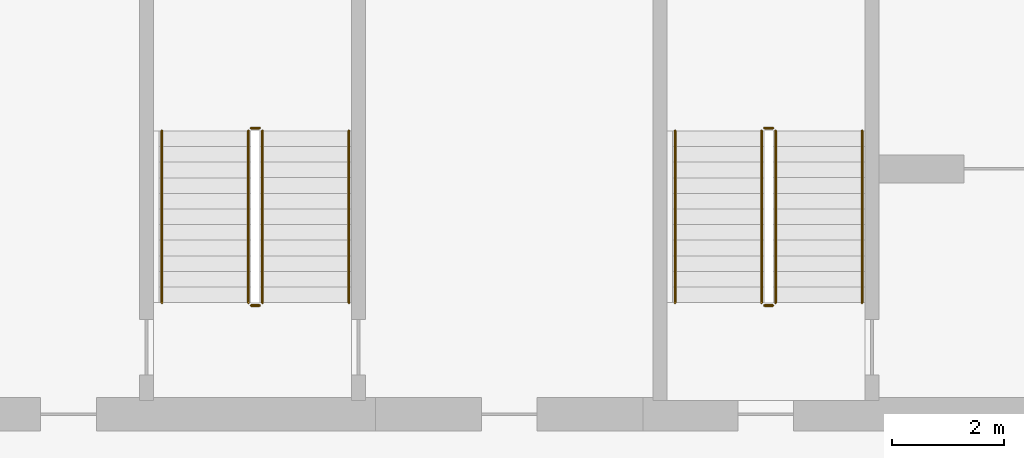
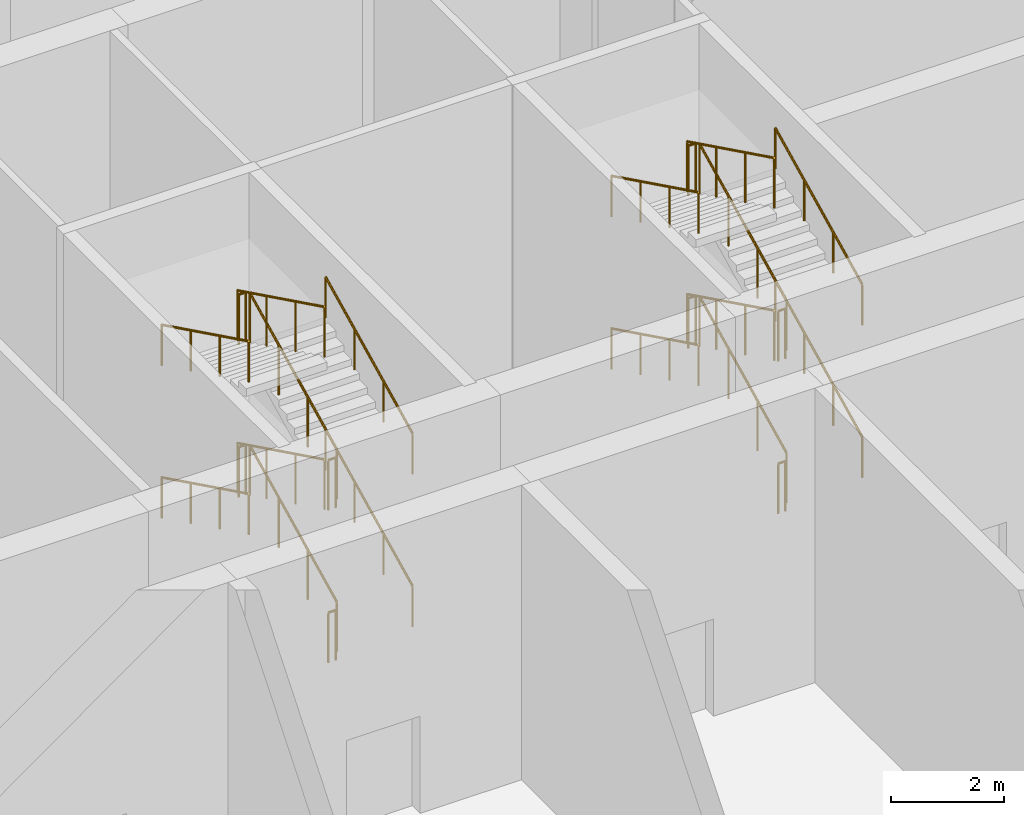
# One storey, part 14 of 16: 24 railings.
"""IFC4 building model written with IfcOpenShell, lengths in metres."""

from ifc_helpers import new_model, si_unit, direction, frame, origin, origin_2d, place, context, subcontext, project, spatial, circle, extrude, material, type_object, element, save


model = new_model("IFC4")

# Units and contexts
model_context = context("Model", 3, precision=1e-05, world=origin(), true_north=direction((0.0, 1.0)))
body_context = subcontext(model_context, "Body", "Model", "MODEL_VIEW")
ifc_project = project(units=[si_unit("LENGTHUNIT", "METRE"), si_unit("AREAUNIT", "SQUARE_METRE"), si_unit("VOLUMEUNIT", "CUBIC_METRE"), si_unit("PLANEANGLEUNIT", "RADIAN"), si_unit("MASSUNIT", "GRAM", prefix="KILO")], contexts=[model_context])

# Site, building, storey
site_placement = place(None, origin())
site = spatial("IfcSite", under=ifc_project, at=site_placement, CompositionType="ELEMENT")
building_placement = place(site_placement, origin())
building = spatial("IfcBuilding", under=site, at=building_placement, Name="Poui Terraces", CompositionType="ELEMENT")
storey_placement = place(building_placement, frame((0.0, 0.0, 115.800048828125)))
storey = spatial("IfcBuildingStorey", under=building, at=storey_placement, Name="L32", CompositionType="ELEMENT", Elevation=115.800048828125)

# Railings
ifc_material_1 = material(Name="Galvanised steel balustrade", Category="steel")
railing_type_1 = type_object("IfcRailingType", Name="STAIR GUARD 1100", PredefinedType="GUARDRAIL", material=ifc_material_1)
railing_1_placement = place(storey_placement, frame((32.074951171875, 16.60009765625, 0.137451171875)))
element("IfcRailing", 1, at=railing_1_placement, inside=storey, type_object=railing_type_1, Name="L32 ST-CW stair guard 1", PredefinedType="GUARDRAIL", context=body_context, shape_type="SweptSolid", body=[
    extrude(circle(Radius=0.02392578125, at=origin_2d()), frame((0.0, 0.0, 1.076171875), z_axis=(0.0, 0.897606190399, 0.440798283751), x_axis=(-1.0, 0.0, 0.0)), (0.0, 0.0, 1.0), 3.43115234375),
    extrude(circle(Radius=0.02099609375, at=origin_2d()), origin(), (0.0, 0.0, 1.0), 1.052001953125),
    extrude(circle(Radius=0.02099609375, at=origin_2d()), frame((0.0, 1.026611328125, 0.504150390625)), (0.0, 0.0, 1.0), 1.052001953125),
    extrude(circle(Radius=0.02099609375, at=origin_2d()), frame((0.0, 2.05322265625, 1.00830078125)), (0.0, 0.0, 1.0), 1.052001953125),
    extrude(circle(Radius=0.02099609375, at=origin_2d()), frame((0.0, 3.079833984375, 1.512451171875)), (0.0, 0.0, 1.0), 1.052001953125),
])
railing_2_placement = place(storey_placement, frame((32.02490234375, 19.72998046875, 1.64990234375)))
element("IfcRailing", 2, at=railing_2_placement, inside=storey, type_object=railing_type_1, Name="L32 ST-CW stair guard 2", PredefinedType="GUARDRAIL", context=body_context, shape_type="SweptSolid", body=[
    extrude(circle(Radius=0.02392578125, at=origin_2d()), frame((0.0, 0.0, 1.076171875), z_axis=(-1.0, 0.0, 0.0), x_axis=(0.0, -1.0, 0.0)), (0.0, 0.0, 1.0), 0.14990234375),
    extrude(circle(Radius=0.02099609375, at=origin_2d()), origin(), (0.0, 0.0, 1.0), 1.052001953125),
    extrude(circle(Radius=0.02099609375, at=origin_2d()), frame((-0.14990234375, 0.0, 0.0)), (0.0, 0.0, 1.0), 1.052001953125),
])
railing_3_placement = place(storey_placement, frame((31.824951171875, 19.679931640625, 1.787353515625)))
element("IfcRailing", 3, at=railing_3_placement, inside=storey, type_object=railing_type_1, Name="L32 ST-CW stair guard 3", PredefinedType="GUARDRAIL", context=body_context, shape_type="SweptSolid", body=[
    extrude(circle(Radius=0.02392578125, at=origin_2d()), frame((0.0, 0.0, 1.076171875), z_axis=(0.0, -0.897578036475, 0.440855609512), x_axis=(1.0, 0.0, 0.0)), (0.0, 0.0, 1.0), 3.43115234375),
    extrude(circle(Radius=0.02099609375, at=origin_2d()), origin(), (0.0, 0.0, 1.0), 1.052001953125),
    extrude(circle(Radius=0.02099609375, at=origin_2d()), frame((0.0, -1.026611328125, 0.504150390625)), (0.0, 0.0, 1.0), 1.052001953125),
    extrude(circle(Radius=0.02099609375, at=origin_2d()), frame((0.0, -2.05322265625, 1.008544921875)), (0.0, 0.0, 1.0), 1.052001953125),
    extrude(circle(Radius=0.02099609375, at=origin_2d()), frame((0.0, -3.079833984375, 1.5126953125)), (0.0, 0.0, 1.0), 1.052001953125),
])
railing_4_placement = place(storey_placement, frame((32.02490234375, 16.550048828125, 3.300048828125)))
element("IfcRailing", 4, at=railing_4_placement, inside=storey, type_object=railing_type_1, Name="L32 ST-CW stair guard 4", PredefinedType="GUARDRAIL", context=body_context, shape_type="SweptSolid", body=[
    extrude(circle(Radius=0.02392578125, at=origin_2d()), frame((0.0, 0.0, 1.076171875), z_axis=(-1.0, 0.0, 0.0), x_axis=(0.0, -1.0, 0.0)), (0.0, 0.0, 1.0), 0.14990234375),
    extrude(circle(Radius=0.02099609375, at=origin_2d()), origin(), (0.0, 0.0, 1.0), 1.052001953125),
    extrude(circle(Radius=0.02099609375, at=origin_2d()), frame((-0.14990234375, 0.0, 0.0)), (0.0, 0.0, 1.0), 1.052001953125),
])
railing_5_placement = place(storey_placement, frame((32.074951171875, 16.60009765625, 3.4375)))
element("IfcRailing", 5, at=railing_5_placement, inside=storey, type_object=railing_type_1, Name="L32 ST-CW stair guard 5", PredefinedType="GUARDRAIL", context=body_context, shape_type="SweptSolid", body=[
    extrude(circle(Radius=0.02392578125, at=origin_2d()), frame((0.0, 0.0, 1.076171875), z_axis=(0.0, 0.897606190399, 0.440798283751), x_axis=(-1.0, 0.0, 0.0)), (0.0, 0.0, 1.0), 3.43115234375),
    extrude(circle(Radius=0.02099609375, at=origin_2d()), origin(), (0.0, 0.0, 1.0), 1.052001953125),
    extrude(circle(Radius=0.02099609375, at=origin_2d()), frame((0.0, 1.026611328125, 0.504150390625)), (0.0, 0.0, 1.0), 1.052001953125),
    extrude(circle(Radius=0.02099609375, at=origin_2d()), frame((0.0, 2.05322265625, 1.00830078125)), (0.0, 0.0, 1.0), 1.052001953125),
    extrude(circle(Radius=0.02099609375, at=origin_2d()), frame((0.0, 3.079833984375, 1.512451171875)), (0.0, 0.0, 1.0), 1.052001953125),
])
railing_6_placement = place(storey_placement, frame((32.02490234375, 19.72998046875, 4.949951171875)))
element("IfcRailing", 6, at=railing_6_placement, inside=storey, type_object=railing_type_1, Name="L32 ST-CW stair guard 6", PredefinedType="GUARDRAIL", context=body_context, shape_type="SweptSolid", body=[
    extrude(circle(Radius=0.02392578125, at=origin_2d()), frame((0.0, 0.0, 1.076171875), z_axis=(-1.0, 0.0, 0.0), x_axis=(0.0, -1.0, 0.0)), (0.0, 0.0, 1.0), 0.14990234375),
    extrude(circle(Radius=0.02099609375, at=origin_2d()), origin(), (0.0, 0.0, 1.0), 1.052001953125),
    extrude(circle(Radius=0.02099609375, at=origin_2d()), frame((-0.14990234375, 0.0, 0.0)), (0.0, 0.0, 1.0), 1.052001953125),
])
railing_7_placement = place(storey_placement, frame((31.824951171875, 19.679931640625, 5.08740234375)))
element("IfcRailing", 7, at=railing_7_placement, inside=storey, type_object=railing_type_1, Name="L32 ST-CW stair guard 7", PredefinedType="GUARDRAIL", context=body_context, shape_type="SweptSolid", body=[
    extrude(circle(Radius=0.02392578125, at=origin_2d()), frame((0.0, 0.0, 1.076171875), z_axis=(0.0, -0.897606190399, 0.440798283751), x_axis=(1.0, 0.0, 0.0)), (0.0, 0.0, 1.0), 3.43115234375),
    extrude(circle(Radius=0.02099609375, at=origin_2d()), origin(), (0.0, 0.0, 1.0), 1.052001953125),
    extrude(circle(Radius=0.02099609375, at=origin_2d()), frame((0.0, -1.026611328125, 0.504150390625)), (0.0, 0.0, 1.0), 1.052001953125),
    extrude(circle(Radius=0.02099609375, at=origin_2d()), frame((0.0, -2.05322265625, 1.00830078125)), (0.0, 0.0, 1.0), 1.052001953125),
    extrude(circle(Radius=0.02099609375, at=origin_2d()), frame((0.0, -3.079833984375, 1.512451171875)), (0.0, 0.0, 1.0), 1.052001953125),
])
railing_8_placement = place(storey_placement, frame((32.02490234375, 16.550048828125, 0.0)))
element("IfcRailing", 8, at=railing_8_placement, inside=storey, type_object=railing_type_1, Name="L32 ST-CW stair guard 8", PredefinedType="GUARDRAIL", context=body_context, shape_type="SweptSolid", body=[
    extrude(circle(Radius=0.02392578125, at=origin_2d()), frame((0.0, 0.0, 1.076171875), z_axis=(-1.0, 0.0, 0.0), x_axis=(0.0, -1.0, 0.0)), (0.0, 0.0, 1.0), 0.14990234375),
    extrude(circle(Radius=0.02099609375, at=origin_2d()), origin(), (0.0, 0.0, 1.0), 1.052001953125),
    extrude(circle(Radius=0.02099609375, at=origin_2d()), frame((-0.14990234375, 0.0, 0.0)), (0.0, 0.0, 1.0), 1.052001953125),
])
railing_9_placement = place(storey_placement, frame((22.875, 16.60009765625, 0.137451171875)))
element("IfcRailing", 9, at=railing_9_placement, inside=storey, type_object=railing_type_1, Name="L32 ST-W stair guard 1", PredefinedType="GUARDRAIL", context=body_context, shape_type="SweptSolid", body=[
    extrude(circle(Radius=0.02392578125, at=origin_2d()), frame((0.0, 0.0, 1.076171875), z_axis=(0.0, 0.897606190399, 0.440798283751), x_axis=(-1.0, 0.0, 0.0)), (0.0, 0.0, 1.0), 3.43115234375),
    extrude(circle(Radius=0.02099609375, at=origin_2d()), origin(), (0.0, 0.0, 1.0), 1.052001953125),
    extrude(circle(Radius=0.02099609375, at=origin_2d()), frame((0.0, 1.026611328125, 0.504150390625)), (0.0, 0.0, 1.0), 1.052001953125),
    extrude(circle(Radius=0.02099609375, at=origin_2d()), frame((0.0, 2.05322265625, 1.00830078125)), (0.0, 0.0, 1.0), 1.052001953125),
    extrude(circle(Radius=0.02099609375, at=origin_2d()), frame((0.0, 3.079833984375, 1.512451171875)), (0.0, 0.0, 1.0), 1.052001953125),
])
railing_10_placement = place(storey_placement, frame((22.824951171875, 19.72998046875, 1.64990234375)))
element("IfcRailing", 10, at=railing_10_placement, inside=storey, type_object=railing_type_1, Name="L32 ST-W stair guard 2", PredefinedType="GUARDRAIL", context=body_context, shape_type="SweptSolid", body=[
    extrude(circle(Radius=0.02392578125, at=origin_2d()), frame((0.0, 0.0, 1.076171875), z_axis=(-1.0, 0.0, 0.0), x_axis=(0.0, -1.0, 0.0)), (0.0, 0.0, 1.0), 0.14990234375),
    extrude(circle(Radius=0.02099609375, at=origin_2d()), origin(), (0.0, 0.0, 1.0), 1.052001953125),
    extrude(circle(Radius=0.02099609375, at=origin_2d()), frame((-0.14990234375, 0.0, 0.0)), (0.0, 0.0, 1.0), 1.052001953125),
])
railing_11_placement = place(storey_placement, frame((22.625, 19.679931640625, 1.787353515625)))
element("IfcRailing", 11, at=railing_11_placement, inside=storey, type_object=railing_type_1, Name="L32 ST-W stair guard 3", PredefinedType="GUARDRAIL", context=body_context, shape_type="SweptSolid", body=[
    extrude(circle(Radius=0.02392578125, at=origin_2d()), frame((0.0, 0.0, 1.076171875), z_axis=(0.0, -0.897578036475, 0.440855609512), x_axis=(1.0, 0.0, 0.0)), (0.0, 0.0, 1.0), 3.43115234375),
    extrude(circle(Radius=0.02099609375, at=origin_2d()), origin(), (0.0, 0.0, 1.0), 1.052001953125),
    extrude(circle(Radius=0.02099609375, at=origin_2d()), frame((0.0, -1.026611328125, 0.504150390625)), (0.0, 0.0, 1.0), 1.052001953125),
    extrude(circle(Radius=0.02099609375, at=origin_2d()), frame((0.0, -2.05322265625, 1.008544921875)), (0.0, 0.0, 1.0), 1.052001953125),
    extrude(circle(Radius=0.02099609375, at=origin_2d()), frame((0.0, -3.079833984375, 1.5126953125)), (0.0, 0.0, 1.0), 1.052001953125),
])
railing_12_placement = place(storey_placement, frame((22.824951171875, 16.550048828125, 3.300048828125)))
element("IfcRailing", 12, at=railing_12_placement, inside=storey, type_object=railing_type_1, Name="L32 ST-W stair guard 4", PredefinedType="GUARDRAIL", context=body_context, shape_type="SweptSolid", body=[
    extrude(circle(Radius=0.02392578125, at=origin_2d()), frame((0.0, 0.0, 1.076171875), z_axis=(-1.0, 0.0, 0.0), x_axis=(0.0, -1.0, 0.0)), (0.0, 0.0, 1.0), 0.14990234375),
    extrude(circle(Radius=0.02099609375, at=origin_2d()), origin(), (0.0, 0.0, 1.0), 1.052001953125),
    extrude(circle(Radius=0.02099609375, at=origin_2d()), frame((-0.14990234375, 0.0, 0.0)), (0.0, 0.0, 1.0), 1.052001953125),
])
railing_13_placement = place(storey_placement, frame((22.875, 16.60009765625, 3.4375)))
element("IfcRailing", 13, at=railing_13_placement, inside=storey, type_object=railing_type_1, Name="L32 ST-W stair guard 5", PredefinedType="GUARDRAIL", context=body_context, shape_type="SweptSolid", body=[
    extrude(circle(Radius=0.02392578125, at=origin_2d()), frame((0.0, 0.0, 1.076171875), z_axis=(0.0, 0.897606190399, 0.440798283751), x_axis=(-1.0, 0.0, 0.0)), (0.0, 0.0, 1.0), 3.43115234375),
    extrude(circle(Radius=0.02099609375, at=origin_2d()), origin(), (0.0, 0.0, 1.0), 1.052001953125),
    extrude(circle(Radius=0.02099609375, at=origin_2d()), frame((0.0, 1.026611328125, 0.504150390625)), (0.0, 0.0, 1.0), 1.052001953125),
    extrude(circle(Radius=0.02099609375, at=origin_2d()), frame((0.0, 2.05322265625, 1.00830078125)), (0.0, 0.0, 1.0), 1.052001953125),
    extrude(circle(Radius=0.02099609375, at=origin_2d()), frame((0.0, 3.079833984375, 1.512451171875)), (0.0, 0.0, 1.0), 1.052001953125),
])
railing_14_placement = place(storey_placement, frame((22.824951171875, 19.72998046875, 4.949951171875)))
element("IfcRailing", 14, at=railing_14_placement, inside=storey, type_object=railing_type_1, Name="L32 ST-W stair guard 6", PredefinedType="GUARDRAIL", context=body_context, shape_type="SweptSolid", body=[
    extrude(circle(Radius=0.02392578125, at=origin_2d()), frame((0.0, 0.0, 1.076171875), z_axis=(-1.0, 0.0, 0.0), x_axis=(0.0, -1.0, 0.0)), (0.0, 0.0, 1.0), 0.14990234375),
    extrude(circle(Radius=0.02099609375, at=origin_2d()), origin(), (0.0, 0.0, 1.0), 1.052001953125),
    extrude(circle(Radius=0.02099609375, at=origin_2d()), frame((-0.14990234375, 0.0, 0.0)), (0.0, 0.0, 1.0), 1.052001953125),
])
railing_15_placement = place(storey_placement, frame((22.625, 19.679931640625, 5.08740234375)))
element("IfcRailing", 15, at=railing_15_placement, inside=storey, type_object=railing_type_1, Name="L32 ST-W stair guard 7", PredefinedType="GUARDRAIL", context=body_context, shape_type="SweptSolid", body=[
    extrude(circle(Radius=0.02392578125, at=origin_2d()), frame((0.0, 0.0, 1.076171875), z_axis=(0.0, -0.897606190399, 0.440798283751), x_axis=(1.0, 0.0, 0.0)), (0.0, 0.0, 1.0), 3.43115234375),
    extrude(circle(Radius=0.02099609375, at=origin_2d()), origin(), (0.0, 0.0, 1.0), 1.052001953125),
    extrude(circle(Radius=0.02099609375, at=origin_2d()), frame((0.0, -1.026611328125, 0.504150390625)), (0.0, 0.0, 1.0), 1.052001953125),
    extrude(circle(Radius=0.02099609375, at=origin_2d()), frame((0.0, -2.05322265625, 1.00830078125)), (0.0, 0.0, 1.0), 1.052001953125),
    extrude(circle(Radius=0.02099609375, at=origin_2d()), frame((0.0, -3.079833984375, 1.512451171875)), (0.0, 0.0, 1.0), 1.052001953125),
])
railing_16_placement = place(storey_placement, frame((22.824951171875, 16.550048828125, 0.0)))
element("IfcRailing", 16, at=railing_16_placement, inside=storey, type_object=railing_type_1, Name="L32 ST-W stair guard 8", PredefinedType="GUARDRAIL", context=body_context, shape_type="SweptSolid", body=[
    extrude(circle(Radius=0.02392578125, at=origin_2d()), frame((0.0, 0.0, 1.076171875), z_axis=(-1.0, 0.0, 0.0), x_axis=(0.0, -1.0, 0.0)), (0.0, 0.0, 1.0), 0.14990234375),
    extrude(circle(Radius=0.02099609375, at=origin_2d()), origin(), (0.0, 0.0, 1.0), 1.052001953125),
    extrude(circle(Radius=0.02099609375, at=origin_2d()), frame((-0.14990234375, 0.0, 0.0)), (0.0, 0.0, 1.0), 1.052001953125),
])
ifc_material_2 = material(Name="Stainless steel handrail", Category="steel")
railing_type_2 = type_object("IfcRailingType", Name="STAIR HANDRAIL 900", PredefinedType="HANDRAIL", material=ifc_material_2)
railing_17_placement = place(storey_placement, frame((33.625, 16.60009765625, 0.137451171875)))
element("IfcRailing", 17, at=railing_17_placement, inside=storey, type_object=railing_type_2, Name="L32 ST-CW stair handrail 1", PredefinedType="HANDRAIL", context=body_context, shape_type="SweptSolid", body=[
    extrude(circle(Radius=0.02392578125, at=origin_2d()), frame((0.0, 0.0, 0.8759765625), z_axis=(0.0, 0.897606190399, 0.440798283751), x_axis=(-1.0, 0.0, 0.0)), (0.0, 0.0, 1.0), 3.43115234375),
    extrude(circle(Radius=0.02099609375, at=origin_2d()), origin(), (0.0, 0.0, 1.0), 0.851806640625),
    extrude(circle(Radius=0.02099609375, at=origin_2d()), frame((0.0, 1.026611328125, 0.504150390625)), (0.0, 0.0, 1.0), 0.851806640625),
    extrude(circle(Radius=0.02099609375, at=origin_2d()), frame((0.0, 2.05322265625, 1.00830078125)), (0.0, 0.0, 1.0), 0.851806640625),
    extrude(circle(Radius=0.02099609375, at=origin_2d()), frame((0.0, 3.079833984375, 1.512451171875)), (0.0, 0.0, 1.0), 0.851806640625),
])
railing_18_placement = place(storey_placement, frame((30.27490234375, 19.679931640625, 1.787353515625)))
element("IfcRailing", 18, at=railing_18_placement, inside=storey, type_object=railing_type_2, Name="L32 ST-CW stair handrail 2", PredefinedType="HANDRAIL", context=body_context, shape_type="SweptSolid", body=[
    extrude(circle(Radius=0.02392578125, at=origin_2d()), frame((0.0, 0.0, 0.8759765625), z_axis=(0.0, -0.897578036475, 0.440855609512), x_axis=(1.0, 0.0, 0.0)), (0.0, 0.0, 1.0), 3.43115234375),
    extrude(circle(Radius=0.02099609375, at=origin_2d()), origin(), (0.0, 0.0, 1.0), 0.851806640625),
    extrude(circle(Radius=0.02099609375, at=origin_2d()), frame((0.0, -1.026611328125, 0.504150390625)), (0.0, 0.0, 1.0), 0.851806640625),
    extrude(circle(Radius=0.02099609375, at=origin_2d()), frame((0.0, -2.05322265625, 1.008544921875)), (0.0, 0.0, 1.0), 0.851806640625),
    extrude(circle(Radius=0.02099609375, at=origin_2d()), frame((0.0, -3.079833984375, 1.5126953125)), (0.0, 0.0, 1.0), 0.851806640625),
])
railing_19_placement = place(storey_placement, frame((33.625, 16.60009765625, 3.4375)))
element("IfcRailing", 19, at=railing_19_placement, inside=storey, type_object=railing_type_2, Name="L32 ST-CW stair handrail 3", PredefinedType="HANDRAIL", context=body_context, shape_type="SweptSolid", body=[
    extrude(circle(Radius=0.02392578125, at=origin_2d()), frame((0.0, 0.0, 0.8759765625), z_axis=(0.0, 0.897606190399, 0.440798283751), x_axis=(-1.0, 0.0, 0.0)), (0.0, 0.0, 1.0), 3.43115234375),
    extrude(circle(Radius=0.02099609375, at=origin_2d()), origin(), (0.0, 0.0, 1.0), 0.851806640625),
    extrude(circle(Radius=0.02099609375, at=origin_2d()), frame((0.0, 1.026611328125, 0.504150390625)), (0.0, 0.0, 1.0), 0.851806640625),
    extrude(circle(Radius=0.02099609375, at=origin_2d()), frame((0.0, 2.05322265625, 1.00830078125)), (0.0, 0.0, 1.0), 0.851806640625),
    extrude(circle(Radius=0.02099609375, at=origin_2d()), frame((0.0, 3.079833984375, 1.512451171875)), (0.0, 0.0, 1.0), 0.851806640625),
])
railing_20_placement = place(storey_placement, frame((30.27490234375, 19.679931640625, 5.08740234375)))
element("IfcRailing", 20, at=railing_20_placement, inside=storey, type_object=railing_type_2, Name="L32 ST-CW stair handrail 4", PredefinedType="HANDRAIL", context=body_context, shape_type="SweptSolid", body=[
    extrude(circle(Radius=0.02392578125, at=origin_2d()), frame((0.0, 0.0, 0.8759765625), z_axis=(0.0, -0.897606190399, 0.440798283751), x_axis=(1.0, 0.0, 0.0)), (0.0, 0.0, 1.0), 3.43115234375),
    extrude(circle(Radius=0.02099609375, at=origin_2d()), origin(), (0.0, 0.0, 1.0), 0.851806640625),
    extrude(circle(Radius=0.02099609375, at=origin_2d()), frame((0.0, -1.026611328125, 0.504150390625)), (0.0, 0.0, 1.0), 0.851806640625),
    extrude(circle(Radius=0.02099609375, at=origin_2d()), frame((0.0, -2.05322265625, 1.00830078125)), (0.0, 0.0, 1.0), 0.851806640625),
    extrude(circle(Radius=0.02099609375, at=origin_2d()), frame((0.0, -3.079833984375, 1.512451171875)), (0.0, 0.0, 1.0), 0.851806640625),
])
railing_21_placement = place(storey_placement, frame((24.425048828125, 16.60009765625, 0.137451171875)))
element("IfcRailing", 21, at=railing_21_placement, inside=storey, type_object=railing_type_2, Name="L32 ST-W stair handrail 1", PredefinedType="HANDRAIL", context=body_context, shape_type="SweptSolid", body=[
    extrude(circle(Radius=0.02392578125, at=origin_2d()), frame((0.0, 0.0, 0.8759765625), z_axis=(0.0, 0.897606190399, 0.440798283751), x_axis=(-1.0, 0.0, 0.0)), (0.0, 0.0, 1.0), 3.43115234375),
    extrude(circle(Radius=0.02099609375, at=origin_2d()), origin(), (0.0, 0.0, 1.0), 0.851806640625),
    extrude(circle(Radius=0.02099609375, at=origin_2d()), frame((0.0, 1.026611328125, 0.504150390625)), (0.0, 0.0, 1.0), 0.851806640625),
    extrude(circle(Radius=0.02099609375, at=origin_2d()), frame((0.0, 2.05322265625, 1.00830078125)), (0.0, 0.0, 1.0), 0.851806640625),
    extrude(circle(Radius=0.02099609375, at=origin_2d()), frame((0.0, 3.079833984375, 1.512451171875)), (0.0, 0.0, 1.0), 0.851806640625),
])
railing_22_placement = place(storey_placement, frame((21.074951171875, 19.679931640625, 1.787353515625)))
element("IfcRailing", 22, at=railing_22_placement, inside=storey, type_object=railing_type_2, Name="L32 ST-W stair handrail 2", PredefinedType="HANDRAIL", context=body_context, shape_type="SweptSolid", body=[
    extrude(circle(Radius=0.02392578125, at=origin_2d()), frame((0.0, 0.0, 0.8759765625), z_axis=(0.0, -0.897578036475, 0.440855609512), x_axis=(1.0, 0.0, 0.0)), (0.0, 0.0, 1.0), 3.43115234375),
    extrude(circle(Radius=0.02099609375, at=origin_2d()), origin(), (0.0, 0.0, 1.0), 0.851806640625),
    extrude(circle(Radius=0.02099609375, at=origin_2d()), frame((0.0, -1.026611328125, 0.504150390625)), (0.0, 0.0, 1.0), 0.851806640625),
    extrude(circle(Radius=0.02099609375, at=origin_2d()), frame((0.0, -2.05322265625, 1.008544921875)), (0.0, 0.0, 1.0), 0.851806640625),
    extrude(circle(Radius=0.02099609375, at=origin_2d()), frame((0.0, -3.079833984375, 1.5126953125)), (0.0, 0.0, 1.0), 0.851806640625),
])
railing_23_placement = place(storey_placement, frame((24.425048828125, 16.60009765625, 3.4375)))
element("IfcRailing", 23, at=railing_23_placement, inside=storey, type_object=railing_type_2, Name="L32 ST-W stair handrail 3", PredefinedType="HANDRAIL", context=body_context, shape_type="SweptSolid", body=[
    extrude(circle(Radius=0.02392578125, at=origin_2d()), frame((0.0, 0.0, 0.8759765625), z_axis=(0.0, 0.897606190399, 0.440798283751), x_axis=(-1.0, 0.0, 0.0)), (0.0, 0.0, 1.0), 3.43115234375),
    extrude(circle(Radius=0.02099609375, at=origin_2d()), origin(), (0.0, 0.0, 1.0), 0.851806640625),
    extrude(circle(Radius=0.02099609375, at=origin_2d()), frame((0.0, 1.026611328125, 0.504150390625)), (0.0, 0.0, 1.0), 0.851806640625),
    extrude(circle(Radius=0.02099609375, at=origin_2d()), frame((0.0, 2.05322265625, 1.00830078125)), (0.0, 0.0, 1.0), 0.851806640625),
    extrude(circle(Radius=0.02099609375, at=origin_2d()), frame((0.0, 3.079833984375, 1.512451171875)), (0.0, 0.0, 1.0), 0.851806640625),
])
railing_24_placement = place(storey_placement, frame((21.074951171875, 19.679931640625, 5.08740234375)))
element("IfcRailing", 24, at=railing_24_placement, inside=storey, type_object=railing_type_2, Name="L32 ST-W stair handrail 4", PredefinedType="HANDRAIL", context=body_context, shape_type="SweptSolid", body=[
    extrude(circle(Radius=0.02392578125, at=origin_2d()), frame((0.0, 0.0, 0.8759765625), z_axis=(0.0, -0.897606190399, 0.440798283751), x_axis=(1.0, 0.0, 0.0)), (0.0, 0.0, 1.0), 3.43115234375),
    extrude(circle(Radius=0.02099609375, at=origin_2d()), origin(), (0.0, 0.0, 1.0), 0.851806640625),
    extrude(circle(Radius=0.02099609375, at=origin_2d()), frame((0.0, -1.026611328125, 0.504150390625)), (0.0, 0.0, 1.0), 0.851806640625),
    extrude(circle(Radius=0.02099609375, at=origin_2d()), frame((0.0, -2.05322265625, 1.00830078125)), (0.0, 0.0, 1.0), 0.851806640625),
    extrude(circle(Radius=0.02099609375, at=origin_2d()), frame((0.0, -3.079833984375, 1.512451171875)), (0.0, 0.0, 1.0), 0.851806640625),
])

save(model, "model.ifc")
